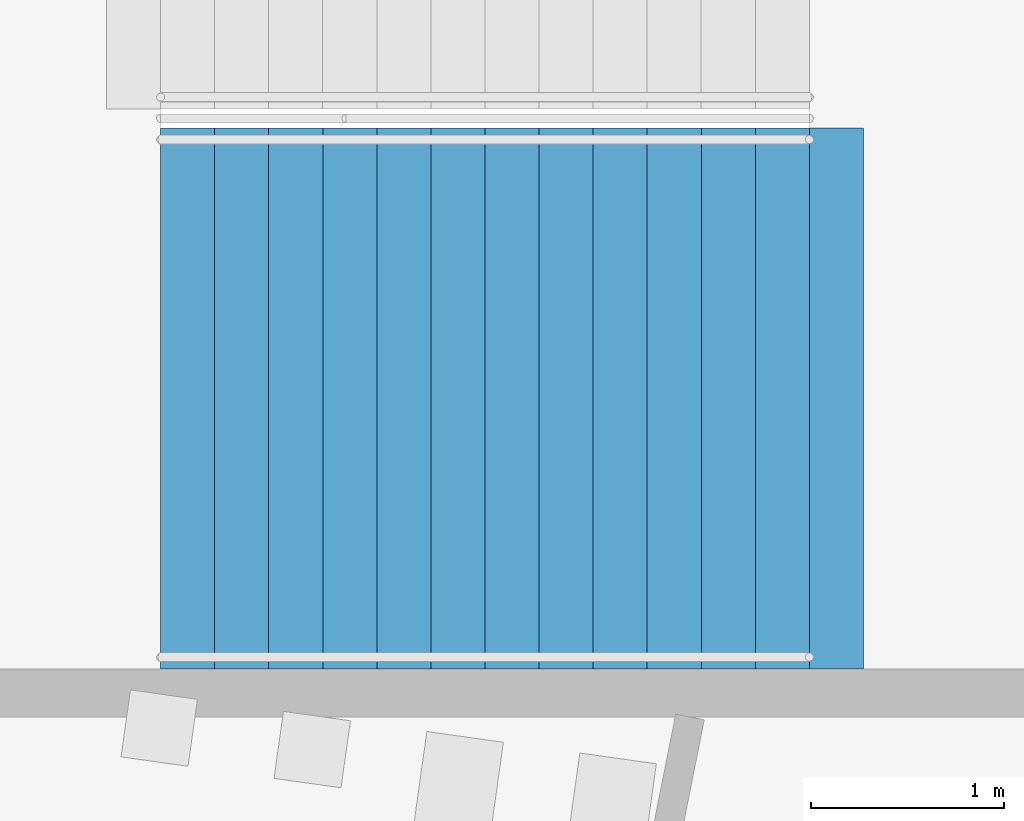
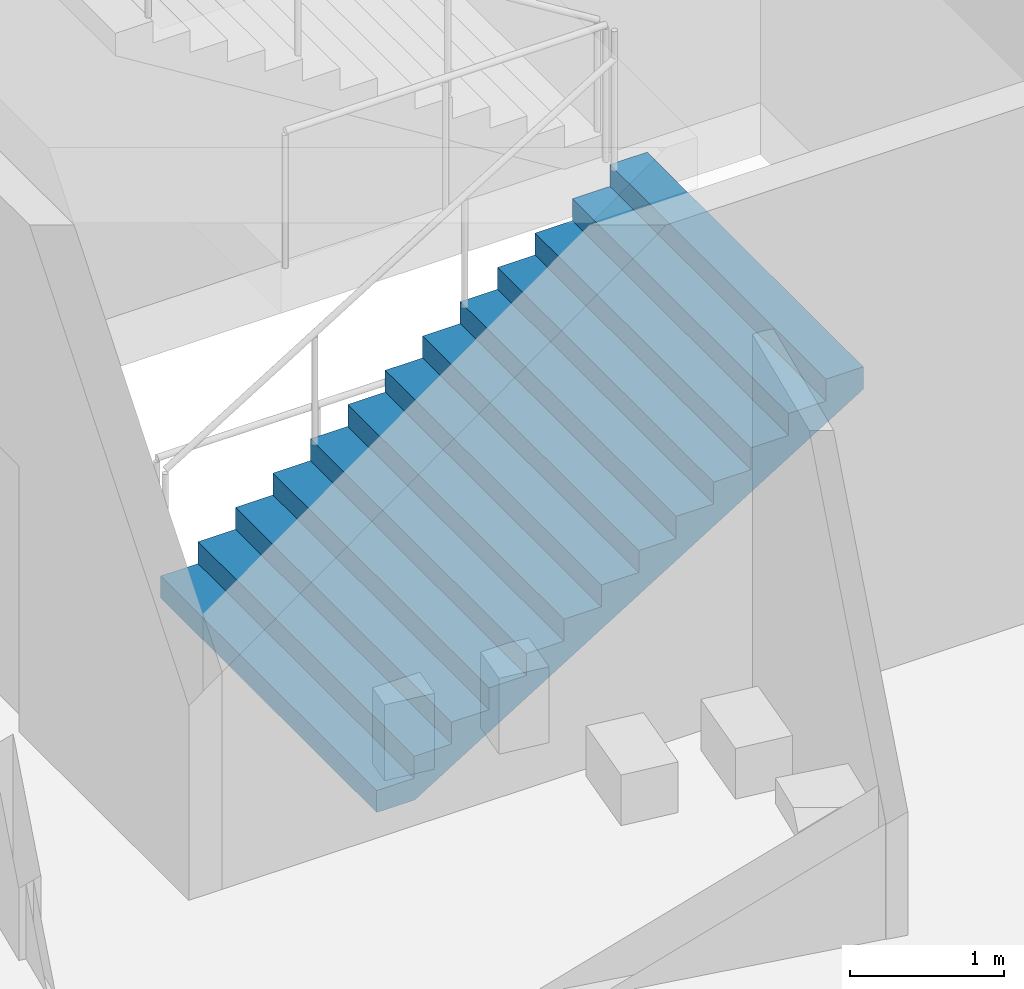
# One storey, part 119 of 177: 1 stair flight, 1 element without a shape of its own.
"""IFC4 building model written with IfcOpenShell, lengths in metres."""

from ifc_helpers import new_model, si_unit, direction, frame, origin, place, context, subcontext, project, spatial, faceted_brep, material, type_object, element, aggregate, save


model = new_model("IFC4")

# Units and contexts
model_context = context("Model", 3, precision=1e-05, world=origin(), true_north=direction((0.0, 1.0)))
body_context = subcontext(model_context, "Body", "Model", "MODEL_VIEW")
ifc_project = project(units=[si_unit("LENGTHUNIT", "METRE"), si_unit("AREAUNIT", "SQUARE_METRE"), si_unit("VOLUMEUNIT", "CUBIC_METRE"), si_unit("PLANEANGLEUNIT", "RADIAN"), si_unit("MASSUNIT", "GRAM", prefix="KILO")], contexts=[model_context])

# Site, building, storey
site_placement = place(None, origin())
site = spatial("IfcSite", under=ifc_project, at=site_placement, CompositionType="ELEMENT")
building_placement = place(site_placement, origin())
building = spatial("IfcBuilding", under=site, at=building_placement, Name="Ogive Plaza Stadium", CompositionType="ELEMENT")
storey_placement = place(building_placement, frame((0.0, 0.0, 18.0)))
storey = spatial("IfcBuildingStorey", under=building, at=storey_placement, Name="L04", CompositionType="ELEMENT", Elevation=18.0)

# Stair, stair flight
ifc_material_1 = material(Name="Concrete C40/50", Category="concrete")
stair_type = type_object("IfcStairType", Name="Exit stair", PredefinedType="STRAIGHT_RUN_STAIR", material=ifc_material_1)
stair_placement = place(storey_placement, origin())
stair = element("IfcStair", 1, at=stair_placement, inside=storey, type_object=stair_type, Name="Exit stair ST08A L04 to L05", PredefinedType="STRAIGHT_RUN_STAIR")
ifc_material_2 = material(Name="Concrete C40/50", Category="concrete")
stair_flight_type = type_object("IfcStairFlightType", Name="Exit stair flight", PredefinedType="STRAIGHT", material=ifc_material_2)
stair_flight_placement = place(storey_placement, frame((76.35009765625, -56.925048828125, 0.0), z_axis=(0.0, 0.0, 1.0), x_axis=(1.0, 0.0, 0.0)))
stair_flight = element("IfcStairFlight", 2, at=stair_flight_placement, type_object=stair_flight_type, Name="ST08A flight 1", NumberOfRisers=13, NumberOfTreads=12, PredefinedType="STRAIGHT", RiserHeight=0.173076923, TreadLength=0.28, context=body_context, shape_type="Brep", body=[
    faceted_brep([(0.28515625, -1.39990234375, 0.0), (3.639892578125, -1.39990234375, 2.07373046875), (3.639892578125, -1.39990234375, 2.25), (3.360107421875, -1.39990234375, 2.25), (3.360107421875, -1.39990234375, 2.076904296875), (3.080078125, -1.39990234375, 2.076904296875), (3.080078125, -1.39990234375, 1.90380859375), (2.800048828125, -1.39990234375, 1.90380859375), (2.800048828125, -1.39990234375, 1.730712890625), (2.52001953125, -1.39990234375, 1.730712890625), (2.52001953125, -1.39990234375, 1.5576171875), (2.239990234375, -1.39990234375, 1.5576171875), (2.239990234375, -1.39990234375, 1.384521484375), (1.9599609375, -1.39990234375, 1.384521484375), (1.9599609375, -1.39990234375, 1.21142578125), (1.679931640625, -1.39990234375, 1.21142578125), (1.679931640625, -1.39990234375, 1.03857421875), (1.39990234375, -1.39990234375, 1.03857421875), (1.39990234375, -1.39990234375, 0.865478515625), (1.1201171875, -1.39990234375, 0.865478515625), (1.1201171875, -1.39990234375, 0.6923828125), (0.840087890625, -1.39990234375, 0.6923828125), (0.840087890625, -1.39990234375, 0.519287109375), (0.56005859375, -1.39990234375, 0.519287109375), (0.56005859375, -1.39990234375, 0.34619140625), (0.280029296875, -1.39990234375, 0.34619140625), (0.280029296875, -1.39990234375, 0.173095703125), (0.0, -1.39990234375, 0.173095703125), (0.0, -1.39990234375, 0.0), (0.0, 1.39990234375, 0.0), (0.0, 1.39990234375, 0.173095703125), (0.280029296875, 1.39990234375, 0.173095703125), (0.280029296875, 1.39990234375, 0.34619140625), (0.56005859375, 1.39990234375, 0.34619140625), (0.56005859375, 1.39990234375, 0.519287109375), (0.840087890625, 1.39990234375, 0.519287109375), (0.840087890625, 1.39990234375, 0.6923828125), (1.1201171875, 1.39990234375, 0.6923828125), (1.1201171875, 1.39990234375, 0.865478515625), (1.39990234375, 1.39990234375, 0.865478515625), (1.39990234375, 1.39990234375, 1.03857421875), (1.679931640625, 1.39990234375, 1.03857421875), (1.679931640625, 1.39990234375, 1.21142578125), (1.9599609375, 1.39990234375, 1.21142578125), (1.9599609375, 1.39990234375, 1.384521484375), (2.239990234375, 1.39990234375, 1.384521484375), (2.239990234375, 1.39990234375, 1.5576171875), (2.52001953125, 1.39990234375, 1.5576171875), (2.52001953125, 1.39990234375, 1.730712890625), (2.800048828125, 1.39990234375, 1.730712890625), (2.800048828125, 1.39990234375, 1.90380859375), (3.080078125, 1.39990234375, 1.90380859375), (3.080078125, 1.39990234375, 2.076904296875), (3.360107421875, 1.39990234375, 2.076904296875), (3.360107421875, 1.39990234375, 2.25), (3.639892578125, 1.39990234375, 2.25), (3.639892578125, 1.39990234375, 2.07373046875), (0.28515625, 1.39990234375, 0.0), (0.28515625, -1.0888671875, 0.0), (3.639892578125, -1.0888671875, 2.07373046875), (0.28515625, -0.77783203125, 0.0), (3.639892578125, -0.77783203125, 2.07373046875), (0.28515625, -0.466796875, 0.0), (3.639892578125, -0.466796875, 2.07373046875), (0.28515625, -0.155517578125, 0.0), (3.639892578125, -0.155517578125, 2.07373046875), (0.28515625, 0.155517578125, 0.0), (3.639892578125, 0.155517578125, 2.07373046875), (0.28515625, 0.466796875, 0.0), (3.639892578125, 0.466796875, 2.07373046875), (0.28515625, 0.77783203125, 0.0), (3.639892578125, 0.77783203125, 2.07373046875), (0.28515625, 1.0888671875, 0.0), (3.639892578125, 1.0888671875, 2.07373046875), (3.639892578125, -1.0888671875, 2.25), (3.639892578125, -0.77783203125, 2.25), (3.639892578125, -0.466796875, 2.25), (3.639892578125, -0.155517578125, 2.25), (3.639892578125, 0.155517578125, 2.25), (3.639892578125, 0.466796875, 2.25), (3.639892578125, 0.77783203125, 2.25), (3.639892578125, 1.0888671875, 2.25), (3.360107421875, -1.0888671875, 2.25), (3.360107421875, -0.77783203125, 2.25), (3.360107421875, -0.466796875, 2.25), (3.360107421875, -0.155517578125, 2.25), (3.360107421875, 0.155517578125, 2.25), (3.360107421875, 0.466796875, 2.25), (3.360107421875, 0.77783203125, 2.25), (3.360107421875, 1.0888671875, 2.25), (3.360107421875, -1.0888671875, 2.076904296875), (3.360107421875, -0.77783203125, 2.076904296875), (3.360107421875, -0.466796875, 2.076904296875), (3.360107421875, -0.155517578125, 2.076904296875), (3.360107421875, 0.155517578125, 2.076904296875), (3.360107421875, 0.466796875, 2.076904296875), (3.360107421875, 0.77783203125, 2.076904296875), (3.360107421875, 1.0888671875, 2.076904296875), (3.080078125, -1.0888671875, 2.076904296875), (3.080078125, -0.77783203125, 2.076904296875), (3.080078125, -0.466796875, 2.076904296875), (3.080078125, -0.155517578125, 2.076904296875), (3.080078125, 0.155517578125, 2.076904296875), (3.080078125, 0.466796875, 2.076904296875), (3.080078125, 0.77783203125, 2.076904296875), (3.080078125, 1.0888671875, 2.076904296875), (3.080078125, -1.0888671875, 1.90380859375), (3.080078125, -0.77783203125, 1.90380859375), (3.080078125, -0.466796875, 1.90380859375), (3.080078125, -0.155517578125, 1.90380859375), (3.080078125, 0.155517578125, 1.90380859375), (3.080078125, 0.466796875, 1.90380859375), (3.080078125, 0.77783203125, 1.90380859375), (3.080078125, 1.0888671875, 1.90380859375), (2.800048828125, -1.0888671875, 1.90380859375), (2.800048828125, -0.77783203125, 1.90380859375), (2.800048828125, -0.466796875, 1.90380859375), (2.800048828125, -0.155517578125, 1.90380859375), (2.800048828125, 0.155517578125, 1.90380859375), (2.800048828125, 0.466796875, 1.90380859375), (2.800048828125, 0.77783203125, 1.90380859375), (2.800048828125, 1.0888671875, 1.90380859375), (2.800048828125, -1.0888671875, 1.730712890625), (2.800048828125, -0.77783203125, 1.730712890625), (2.800048828125, -0.466796875, 1.730712890625), (2.800048828125, -0.155517578125, 1.730712890625), (2.800048828125, 0.155517578125, 1.730712890625), (2.800048828125, 0.466796875, 1.730712890625), (2.800048828125, 0.77783203125, 1.730712890625), (2.800048828125, 1.0888671875, 1.730712890625), (2.52001953125, -1.0888671875, 1.730712890625), (2.52001953125, -0.77783203125, 1.730712890625), (2.52001953125, -0.466796875, 1.730712890625), (2.52001953125, -0.155517578125, 1.730712890625), (2.52001953125, 0.155517578125, 1.730712890625), (2.52001953125, 0.466796875, 1.730712890625), (2.52001953125, 0.77783203125, 1.730712890625), (2.52001953125, 1.0888671875, 1.730712890625), (2.52001953125, -1.0888671875, 1.5576171875), (2.52001953125, -0.77783203125, 1.5576171875), (2.52001953125, -0.466796875, 1.5576171875), (2.52001953125, -0.155517578125, 1.5576171875), (2.52001953125, 0.155517578125, 1.5576171875), (2.52001953125, 0.466796875, 1.5576171875), (2.52001953125, 0.77783203125, 1.5576171875), (2.52001953125, 1.0888671875, 1.5576171875), (2.239990234375, -1.0888671875, 1.5576171875), (2.239990234375, -0.77783203125, 1.5576171875), (2.239990234375, -0.466796875, 1.5576171875), (2.239990234375, -0.155517578125, 1.5576171875), (2.239990234375, 0.155517578125, 1.5576171875), (2.239990234375, 0.466796875, 1.5576171875), (2.239990234375, 0.77783203125, 1.5576171875), (2.239990234375, 1.0888671875, 1.5576171875), (2.239990234375, -1.0888671875, 1.384521484375), (2.239990234375, -0.77783203125, 1.384521484375), (2.239990234375, -0.466796875, 1.384521484375), (2.239990234375, -0.155517578125, 1.384521484375), (2.239990234375, 0.155517578125, 1.384521484375), (2.239990234375, 0.466796875, 1.384521484375), (2.239990234375, 0.77783203125, 1.384521484375), (2.239990234375, 1.0888671875, 1.384521484375), (1.9599609375, -1.0888671875, 1.384521484375), (1.9599609375, -0.77783203125, 1.384521484375), (1.9599609375, -0.466796875, 1.384521484375), (1.9599609375, -0.155517578125, 1.384521484375), (1.9599609375, 0.155517578125, 1.384521484375), (1.9599609375, 0.466796875, 1.384521484375), (1.9599609375, 0.77783203125, 1.384521484375), (1.9599609375, 1.0888671875, 1.384521484375), (1.9599609375, -1.0888671875, 1.21142578125), (1.9599609375, -0.77783203125, 1.21142578125), (1.9599609375, -0.466796875, 1.21142578125), (1.9599609375, -0.155517578125, 1.21142578125), (1.9599609375, 0.155517578125, 1.21142578125), (1.9599609375, 0.466796875, 1.21142578125), (1.9599609375, 0.77783203125, 1.21142578125), (1.9599609375, 1.0888671875, 1.21142578125), (1.679931640625, -1.0888671875, 1.21142578125), (1.679931640625, -0.77783203125, 1.21142578125), (1.679931640625, -0.466796875, 1.21142578125), (1.679931640625, -0.155517578125, 1.21142578125), (1.679931640625, 0.155517578125, 1.21142578125), (1.679931640625, 0.466796875, 1.21142578125), (1.679931640625, 0.77783203125, 1.21142578125), (1.679931640625, 1.0888671875, 1.21142578125), (1.679931640625, -1.0888671875, 1.03857421875), (1.679931640625, -0.77783203125, 1.03857421875), (1.679931640625, -0.466796875, 1.03857421875), (1.679931640625, -0.155517578125, 1.03857421875), (1.679931640625, 0.155517578125, 1.03857421875), (1.679931640625, 0.466796875, 1.03857421875), (1.679931640625, 0.77783203125, 1.03857421875), (1.679931640625, 1.0888671875, 1.03857421875), (1.39990234375, -1.0888671875, 1.03857421875), (1.39990234375, -0.77783203125, 1.03857421875), (1.39990234375, -0.466796875, 1.03857421875), (1.39990234375, -0.155517578125, 1.03857421875), (1.39990234375, 0.155517578125, 1.03857421875), (1.39990234375, 0.466796875, 1.03857421875), (1.39990234375, 0.77783203125, 1.03857421875), (1.39990234375, 1.0888671875, 1.03857421875), (1.39990234375, -1.0888671875, 0.865478515625), (1.39990234375, -0.77783203125, 0.865478515625), (1.39990234375, -0.466796875, 0.865478515625), (1.39990234375, -0.155517578125, 0.865478515625), (1.39990234375, 0.155517578125, 0.865478515625), (1.39990234375, 0.466796875, 0.865478515625), (1.39990234375, 0.77783203125, 0.865478515625), (1.39990234375, 1.0888671875, 0.865478515625), (1.1201171875, -1.0888671875, 0.865478515625), (1.1201171875, -0.77783203125, 0.865478515625), (1.1201171875, -0.466796875, 0.865478515625), (1.1201171875, -0.155517578125, 0.865478515625), (1.1201171875, 0.155517578125, 0.865478515625), (1.1201171875, 0.466796875, 0.865478515625), (1.1201171875, 0.77783203125, 0.865478515625), (1.1201171875, 1.0888671875, 0.865478515625), (1.1201171875, -1.0888671875, 0.6923828125), (1.1201171875, -0.77783203125, 0.6923828125), (1.1201171875, -0.466796875, 0.6923828125), (1.1201171875, -0.155517578125, 0.6923828125), (1.1201171875, 0.155517578125, 0.6923828125), (1.1201171875, 0.466796875, 0.6923828125), (1.1201171875, 0.77783203125, 0.6923828125), (1.1201171875, 1.0888671875, 0.6923828125), (0.840087890625, -1.0888671875, 0.6923828125), (0.840087890625, -0.77783203125, 0.6923828125), (0.840087890625, -0.466796875, 0.6923828125), (0.840087890625, -0.155517578125, 0.6923828125), (0.840087890625, 0.155517578125, 0.6923828125), (0.840087890625, 0.466796875, 0.6923828125), (0.840087890625, 0.77783203125, 0.6923828125), (0.840087890625, 1.0888671875, 0.6923828125), (0.840087890625, -1.0888671875, 0.519287109375), (0.840087890625, -0.77783203125, 0.519287109375), (0.840087890625, -0.466796875, 0.519287109375), (0.840087890625, -0.155517578125, 0.519287109375), (0.840087890625, 0.155517578125, 0.519287109375), (0.840087890625, 0.466796875, 0.519287109375), (0.840087890625, 0.77783203125, 0.519287109375), (0.840087890625, 1.0888671875, 0.519287109375), (0.56005859375, -1.0888671875, 0.519287109375), (0.56005859375, -0.77783203125, 0.519287109375), (0.56005859375, -0.466796875, 0.519287109375), (0.56005859375, -0.155517578125, 0.519287109375), (0.56005859375, 0.155517578125, 0.519287109375), (0.56005859375, 0.466796875, 0.519287109375), (0.56005859375, 0.77783203125, 0.519287109375), (0.56005859375, 1.0888671875, 0.519287109375), (0.56005859375, -1.0888671875, 0.34619140625), (0.56005859375, -0.77783203125, 0.34619140625), (0.56005859375, -0.466796875, 0.34619140625), (0.56005859375, -0.155517578125, 0.34619140625), (0.56005859375, 0.155517578125, 0.34619140625), (0.56005859375, 0.466796875, 0.34619140625), (0.56005859375, 0.77783203125, 0.34619140625), (0.56005859375, 1.0888671875, 0.34619140625), (0.280029296875, -1.0888671875, 0.34619140625), (0.280029296875, -0.77783203125, 0.34619140625), (0.280029296875, -0.466796875, 0.34619140625), (0.280029296875, -0.155517578125, 0.34619140625), (0.280029296875, 0.155517578125, 0.34619140625), (0.280029296875, 0.466796875, 0.34619140625), (0.280029296875, 0.77783203125, 0.34619140625), (0.280029296875, 1.0888671875, 0.34619140625), (0.280029296875, -1.0888671875, 0.173095703125), (0.280029296875, -0.77783203125, 0.173095703125), (0.280029296875, -0.466796875, 0.173095703125), (0.280029296875, -0.155517578125, 0.173095703125), (0.280029296875, 0.155517578125, 0.173095703125), (0.280029296875, 0.466796875, 0.173095703125), (0.280029296875, 0.77783203125, 0.173095703125), (0.280029296875, 1.0888671875, 0.173095703125), (0.0, -1.0888671875, 0.173095703125), (0.0, -0.77783203125, 0.173095703125), (0.0, -0.466796875, 0.173095703125), (0.0, -0.155517578125, 0.173095703125), (0.0, 0.155517578125, 0.173095703125), (0.0, 0.466796875, 0.173095703125), (0.0, 0.77783203125, 0.173095703125), (0.0, 1.0888671875, 0.173095703125), (0.0, -1.0888671875, 0.0), (0.0, -0.77783203125, 0.0), (0.0, -0.466796875, 0.0), (0.0, -0.155517578125, 0.0), (0.0, 0.155517578125, 0.0), (0.0, 0.466796875, 0.0), (0.0, 0.77783203125, 0.0), (0.0, 1.0888671875, 0.0)], [[[0, 1, 2, 3, 4, 5, 6, 7, 8, 9, 10, 11, 12, 13, 14, 15, 16, 17, 18, 19, 20, 21, 22, 23, 24, 25, 26, 27, 28]], [[29, 30, 31, 32, 33, 34, 35, 36, 37, 38, 39, 40, 41, 42, 43, 44, 45, 46, 47, 48, 49, 50, 51, 52, 53, 54, 55, 56, 57]], [[0, 58, 59, 1]], [[58, 60, 61, 59]], [[60, 62, 63, 61]], [[62, 64, 65, 63]], [[64, 66, 67, 65]], [[66, 68, 69, 67]], [[68, 70, 71, 69]], [[70, 72, 73, 71]], [[72, 57, 56, 73]], [[1, 59, 74, 2]], [[59, 61, 75, 74]], [[61, 63, 76, 75]], [[63, 65, 77, 76]], [[65, 67, 78, 77]], [[67, 69, 79, 78]], [[69, 71, 80, 79]], [[71, 73, 81, 80]], [[73, 56, 55, 81]], [[2, 74, 82, 3]], [[74, 75, 83, 82]], [[75, 76, 84, 83]], [[76, 77, 85, 84]], [[77, 78, 86, 85]], [[78, 79, 87, 86]], [[79, 80, 88, 87]], [[80, 81, 89, 88]], [[81, 55, 54, 89]], [[3, 82, 90, 4]], [[82, 83, 91, 90]], [[83, 84, 92, 91]], [[84, 85, 93, 92]], [[85, 86, 94, 93]], [[86, 87, 95, 94]], [[87, 88, 96, 95]], [[88, 89, 97, 96]], [[89, 54, 53, 97]], [[4, 90, 98, 5]], [[90, 91, 99, 98]], [[91, 92, 100, 99]], [[92, 93, 101, 100]], [[93, 94, 102, 101]], [[94, 95, 103, 102]], [[95, 96, 104, 103]], [[96, 97, 105, 104]], [[97, 53, 52, 105]], [[5, 98, 106, 6]], [[98, 99, 107, 106]], [[99, 100, 108, 107]], [[100, 101, 109, 108]], [[101, 102, 110, 109]], [[102, 103, 111, 110]], [[103, 104, 112, 111]], [[104, 105, 113, 112]], [[105, 52, 51, 113]], [[6, 106, 114, 7]], [[106, 107, 115, 114]], [[107, 108, 116, 115]], [[108, 109, 117, 116]], [[109, 110, 118, 117]], [[110, 111, 119, 118]], [[111, 112, 120, 119]], [[112, 113, 121, 120]], [[113, 51, 50, 121]], [[7, 114, 122, 8]], [[114, 115, 123, 122]], [[115, 116, 124, 123]], [[116, 117, 125, 124]], [[117, 118, 126, 125]], [[118, 119, 127, 126]], [[119, 120, 128, 127]], [[120, 121, 129, 128]], [[121, 50, 49, 129]], [[8, 122, 130, 9]], [[122, 123, 131, 130]], [[123, 124, 132, 131]], [[124, 125, 133, 132]], [[125, 126, 134, 133]], [[126, 127, 135, 134]], [[127, 128, 136, 135]], [[128, 129, 137, 136]], [[129, 49, 48, 137]], [[9, 130, 138, 10]], [[130, 131, 139, 138]], [[131, 132, 140, 139]], [[132, 133, 141, 140]], [[133, 134, 142, 141]], [[134, 135, 143, 142]], [[135, 136, 144, 143]], [[136, 137, 145, 144]], [[137, 48, 47, 145]], [[10, 138, 146, 11]], [[138, 139, 147, 146]], [[139, 140, 148, 147]], [[140, 141, 149, 148]], [[141, 142, 150, 149]], [[142, 143, 151, 150]], [[143, 144, 152, 151]], [[144, 145, 153, 152]], [[145, 47, 46, 153]], [[11, 146, 154, 12]], [[146, 147, 155, 154]], [[147, 148, 156, 155]], [[148, 149, 157, 156]], [[149, 150, 158, 157]], [[150, 151, 159, 158]], [[151, 152, 160, 159]], [[152, 153, 161, 160]], [[153, 46, 45, 161]], [[12, 154, 162, 13]], [[154, 155, 163, 162]], [[155, 156, 164, 163]], [[156, 157, 165, 164]], [[157, 158, 166, 165]], [[158, 159, 167, 166]], [[159, 160, 168, 167]], [[160, 161, 169, 168]], [[161, 45, 44, 169]], [[13, 162, 170, 14]], [[162, 163, 171, 170]], [[163, 164, 172, 171]], [[164, 165, 173, 172]], [[165, 166, 174, 173]], [[166, 167, 175, 174]], [[167, 168, 176, 175]], [[168, 169, 177, 176]], [[169, 44, 43, 177]], [[14, 170, 178, 15]], [[170, 171, 179, 178]], [[171, 172, 180, 179]], [[172, 173, 181, 180]], [[173, 174, 182, 181]], [[174, 175, 183, 182]], [[175, 176, 184, 183]], [[176, 177, 185, 184]], [[177, 43, 42, 185]], [[15, 178, 186, 16]], [[178, 179, 187, 186]], [[179, 180, 188, 187]], [[180, 181, 189, 188]], [[181, 182, 190, 189]], [[182, 183, 191, 190]], [[183, 184, 192, 191]], [[184, 185, 193, 192]], [[185, 42, 41, 193]], [[16, 186, 194, 17]], [[186, 187, 195, 194]], [[187, 188, 196, 195]], [[188, 189, 197, 196]], [[189, 190, 198, 197]], [[190, 191, 199, 198]], [[191, 192, 200, 199]], [[192, 193, 201, 200]], [[193, 41, 40, 201]], [[17, 194, 202, 18]], [[194, 195, 203, 202]], [[195, 196, 204, 203]], [[196, 197, 205, 204]], [[197, 198, 206, 205]], [[198, 199, 207, 206]], [[199, 200, 208, 207]], [[200, 201, 209, 208]], [[201, 40, 39, 209]], [[18, 202, 210, 19]], [[202, 203, 211, 210]], [[203, 204, 212, 211]], [[204, 205, 213, 212]], [[205, 206, 214, 213]], [[206, 207, 215, 214]], [[207, 208, 216, 215]], [[208, 209, 217, 216]], [[209, 39, 38, 217]], [[19, 210, 218, 20]], [[210, 211, 219, 218]], [[211, 212, 220, 219]], [[212, 213, 221, 220]], [[213, 214, 222, 221]], [[214, 215, 223, 222]], [[215, 216, 224, 223]], [[216, 217, 225, 224]], [[217, 38, 37, 225]], [[20, 218, 226, 21]], [[218, 219, 227, 226]], [[219, 220, 228, 227]], [[220, 221, 229, 228]], [[221, 222, 230, 229]], [[222, 223, 231, 230]], [[223, 224, 232, 231]], [[224, 225, 233, 232]], [[225, 37, 36, 233]], [[21, 226, 234, 22]], [[226, 227, 235, 234]], [[227, 228, 236, 235]], [[228, 229, 237, 236]], [[229, 230, 238, 237]], [[230, 231, 239, 238]], [[231, 232, 240, 239]], [[232, 233, 241, 240]], [[233, 36, 35, 241]], [[22, 234, 242, 23]], [[234, 235, 243, 242]], [[235, 236, 244, 243]], [[236, 237, 245, 244]], [[237, 238, 246, 245]], [[238, 239, 247, 246]], [[239, 240, 248, 247]], [[240, 241, 249, 248]], [[241, 35, 34, 249]], [[23, 242, 250, 24]], [[242, 243, 251, 250]], [[243, 244, 252, 251]], [[244, 245, 253, 252]], [[245, 246, 254, 253]], [[246, 247, 255, 254]], [[247, 248, 256, 255]], [[248, 249, 257, 256]], [[249, 34, 33, 257]], [[24, 250, 258, 25]], [[250, 251, 259, 258]], [[251, 252, 260, 259]], [[252, 253, 261, 260]], [[253, 254, 262, 261]], [[254, 255, 263, 262]], [[255, 256, 264, 263]], [[256, 257, 265, 264]], [[257, 33, 32, 265]], [[25, 258, 266, 26]], [[258, 259, 267, 266]], [[259, 260, 268, 267]], [[260, 261, 269, 268]], [[261, 262, 270, 269]], [[262, 263, 271, 270]], [[263, 264, 272, 271]], [[264, 265, 273, 272]], [[265, 32, 31, 273]], [[26, 266, 274, 27]], [[266, 267, 275, 274]], [[267, 268, 276, 275]], [[268, 269, 277, 276]], [[269, 270, 278, 277]], [[270, 271, 279, 278]], [[271, 272, 280, 279]], [[272, 273, 281, 280]], [[273, 31, 30, 281]], [[27, 274, 282, 28]], [[274, 275, 283, 282]], [[275, 276, 284, 283]], [[276, 277, 285, 284]], [[277, 278, 286, 285]], [[278, 279, 287, 286]], [[279, 280, 288, 287]], [[280, 281, 289, 288]], [[281, 30, 29, 289]], [[28, 282, 58, 0]], [[282, 283, 60, 58]], [[283, 284, 62, 60]], [[284, 285, 64, 62]], [[285, 286, 66, 64]], [[286, 287, 68, 66]], [[287, 288, 70, 68]], [[288, 289, 72, 70]], [[289, 29, 57, 72]]]),
])
aggregate(stair, [stair_flight])

save(model, "model.ifc")
